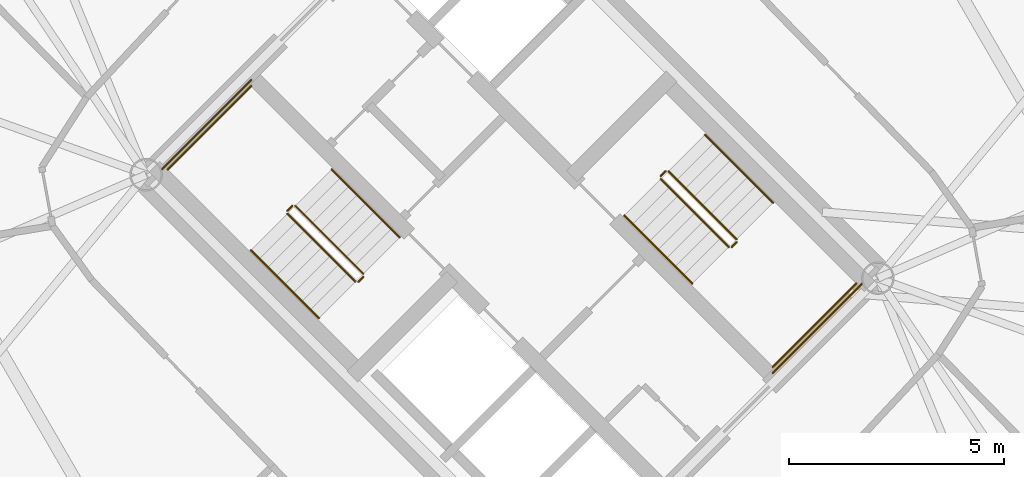
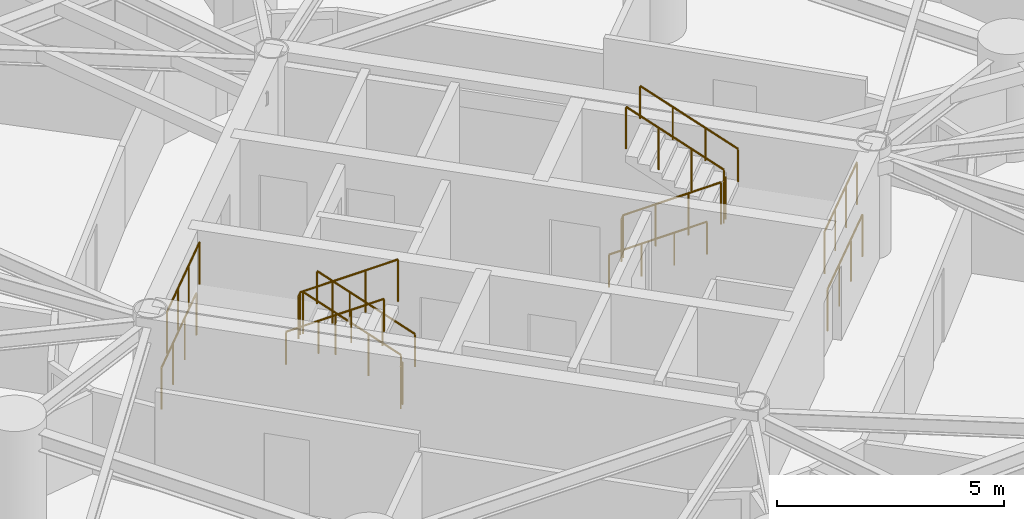
# One storey, part 17 of 17: 16 railings.
"""IFC4 building model written with IfcOpenShell, lengths in metres."""

from ifc_helpers import new_model, si_unit, direction, frame, origin, origin_2d, place, context, subcontext, project, spatial, circle, extrude, material, type_object, element, save


model = new_model("IFC4")

# Units and contexts
model_context = context("Model", 3, precision=1e-05, world=origin(), true_north=direction((0.0, 1.0)))
body_context = subcontext(model_context, "Body", "Model", "MODEL_VIEW")
ifc_project = project(units=[si_unit("LENGTHUNIT", "METRE"), si_unit("AREAUNIT", "SQUARE_METRE"), si_unit("VOLUMEUNIT", "CUBIC_METRE"), si_unit("PLANEANGLEUNIT", "RADIAN"), si_unit("MASSUNIT", "GRAM", prefix="KILO")], contexts=[model_context])

# Site, building, storey
site_placement = place(None, origin())
site = spatial("IfcSite", under=ifc_project, at=site_placement, CompositionType="ELEMENT")
building_placement = place(site_placement, origin())
building = spatial("IfcBuilding", under=site, at=building_placement, Name="Cununo Teusaquillo Station Towers", CompositionType="ELEMENT")
storey_placement = place(building_placement, frame((0.0, 0.0, 81.7900390625)))
storey = spatial("IfcBuildingStorey", under=building, at=storey_placement, Name="L25", CompositionType="ELEMENT", Elevation=81.7900390625)

# Railings
ifc_material_1 = material(Name="Steel EN 10025-2 S355J2", Category="steel")
railing_type_1 = type_object("IfcRailingType", Name="RL-INT-GUARD", PredefinedType="GUARDRAIL", material=ifc_material_1)
railing_1_placement = place(storey_placement, frame((54.03515625, 23.39697265625, 0.16162109375)))
element("IfcRailing", 1, at=railing_1_placement, inside=storey, type_object=railing_type_1, Name="L25 ST-T2-1 stair guard 1", PredefinedType="GUARDRAIL", context=body_context, shape_type="SweptSolid", body=[
    extrude(circle(Radius=0.02392578125, at=origin_2d()), frame((0.0, 0.0, 1.1259765625), z_axis=(-0.612332353853, 0.612332353853, 0.500098167213), x_axis=(-0.707106781187, -0.707106781187, 0.0)), (0.0, 0.0, 1.0), 2.58642578125),
    extrude(circle(Radius=0.02099609375, at=origin_2d()), origin(), (0.0, 0.0, 1.0), 1.101806640625),
    extrude(circle(Radius=0.02099609375, at=origin_2d()), frame((-0.52783203125, 0.52783203125, 0.43115234375)), (0.0, 0.0, 1.0), 1.101806640625),
    extrude(circle(Radius=0.02099609375, at=origin_2d()), frame((-1.055908203125, 1.055908203125, 0.8623046875)), (0.0, 0.0, 1.0), 1.101806640625),
    extrude(circle(Radius=0.02099609375, at=origin_2d()), frame((-1.583740234375, 1.583740234375, 1.29345703125)), (0.0, 0.0, 1.0), 1.101806640625),
])
railing_2_placement = place(storey_placement, frame((52.380615234375, 24.980712890625, 1.455078125)))
element("IfcRailing", 2, at=railing_2_placement, inside=storey, type_object=railing_type_1, Name="L25 ST-T2-1 stair guard 2", PredefinedType="GUARDRAIL", context=body_context, shape_type="SweptSolid", body=[
    extrude(circle(Radius=0.02392578125, at=origin_2d()), frame((0.0, 0.0, 1.1259765625), z_axis=(-0.7078691598, -0.706343579714, 0.0), x_axis=(0.706343579714, -0.7078691598, 0.0)), (0.0, 0.0, 1.0), 0.159912109375),
    extrude(circle(Radius=0.02099609375, at=origin_2d()), origin(), (0.0, 0.0, 1.0), 1.101806640625),
    extrude(circle(Radius=0.02099609375, at=origin_2d()), frame((-0.11328125, -0.113037109375, 0.0)), (0.0, 0.0, 1.0), 1.101806640625),
])
railing_3_placement = place(storey_placement, frame((51.426025390625, 27.77392578125, 1.455078125)))
element("IfcRailing", 3, at=railing_3_placement, inside=storey, type_object=railing_type_1, Name="L25 ST-T2-1 stair guard 3", PredefinedType="GUARDRAIL", context=body_context, shape_type="SweptSolid", body=[
    extrude(circle(Radius=0.02392578125, at=origin_2d()), frame((0.0, 0.0, 1.1259765625), z_axis=(-0.707106781187, -0.707106781187, 0.0), x_axis=(0.707106781187, -0.707106781187, 0.0)), (0.0, 0.0, 1.0), 2.760009765625),
    extrude(circle(Radius=0.02099609375, at=origin_2d()), origin(), (0.0, 0.0, 1.0), 1.101806640625),
    extrude(circle(Radius=0.02099609375, at=origin_2d()), frame((-0.650634765625, -0.650634765625, 0.0)), (0.0, 0.0, 1.0), 1.101806640625),
    extrude(circle(Radius=0.02099609375, at=origin_2d()), frame((-1.301025390625, -1.301025390625, 0.0)), (0.0, 0.0, 1.0), 1.101806640625),
    extrude(circle(Radius=0.02099609375, at=origin_2d()), frame((-1.95166015625, -1.95166015625, 0.0)), (0.0, 0.0, 1.0), 1.101806640625),
])
railing_4_placement = place(storey_placement, frame((52.267333984375, 24.796875, 1.61669921875)))
element("IfcRailing", 4, at=railing_4_placement, inside=storey, type_object=railing_type_1, Name="L25 ST-T2-1 stair guard 4", PredefinedType="GUARDRAIL", context=body_context, shape_type="SweptSolid", body=[
    extrude(circle(Radius=0.02392578125, at=origin_2d()), frame((0.0, 0.0, 1.1259765625), z_axis=(0.612420254088, -0.612325861324, 0.499998471934), x_axis=(0.707052281454, 0.707161276719, 0.0)), (0.0, 0.0, 1.0), 2.58642578125),
    extrude(circle(Radius=0.02099609375, at=origin_2d()), origin(), (0.0, 0.0, 1.0), 1.101806640625),
    extrude(circle(Radius=0.02099609375, at=origin_2d()), frame((0.528076171875, -0.52783203125, 0.43115234375)), (0.0, 0.0, 1.0), 1.101806640625),
    extrude(circle(Radius=0.02099609375, at=origin_2d()), frame((1.055908203125, -1.055908203125, 0.862060546875)), (0.0, 0.0, 1.0), 1.101806640625),
    extrude(circle(Radius=0.02099609375, at=origin_2d()), frame((1.583984375, -1.583740234375, 1.293212890625)), (0.0, 0.0, 1.0), 1.101806640625),
])
railing_5_placement = place(storey_placement, frame((54.03515625, 23.326171875, 0.0)))
element("IfcRailing", 5, at=railing_5_placement, inside=storey, type_object=railing_type_1, Name="L25 ST-T2-1 stair guard 5", PredefinedType="GUARDRAIL", context=body_context, shape_type="SweptSolid", body=[
    extrude(circle(Radius=0.02392578125, at=origin_2d()), frame((0.0, 0.0, 1.1259765625), z_axis=(-0.707106781187, -0.707106781187, 0.0), x_axis=(0.707106781187, -0.707106781187, 0.0)), (0.0, 0.0, 1.0), 0.159912109375),
    extrude(circle(Radius=0.02099609375, at=origin_2d()), origin(), (0.0, 0.0, 1.0), 1.101806640625),
    extrude(circle(Radius=0.02099609375, at=origin_2d()), frame((-0.113037109375, -0.113037109375, 0.0)), (0.0, 0.0, 1.0), 1.101806640625),
])
railing_6_placement = place(storey_placement, frame((51.426025390625, 27.915283203125, 0.0)))
element("IfcRailing", 6, at=railing_6_placement, inside=storey, type_object=railing_type_1, Name="L25 ST-T2-1 stair guard 6", PredefinedType="GUARDRAIL", context=body_context, shape_type="SweptSolid", body=[
    extrude(circle(Radius=0.02392578125, at=origin_2d()), frame((0.0, 0.0, 1.1259765625), z_axis=(-0.707106781187, -0.707106781187, 0.0), x_axis=(0.707106781187, -0.707106781187, 0.0)), (0.0, 0.0, 1.0), 2.9599609375),
    extrude(circle(Radius=0.02099609375, at=origin_2d()), origin(), (0.0, 0.0, 1.0), 1.101806640625),
    extrude(circle(Radius=0.02099609375, at=origin_2d()), frame((-0.69775390625, -0.69775390625, 0.0)), (0.0, 0.0, 1.0), 1.101806640625),
    extrude(circle(Radius=0.02099609375, at=origin_2d()), frame((-1.395263671875, -1.395263671875, 0.0)), (0.0, 0.0, 1.0), 1.101806640625),
    extrude(circle(Radius=0.02099609375, at=origin_2d()), frame((-2.093017578125, -2.093017578125, 0.0)), (0.0, 0.0, 1.0), 1.101806640625),
])
railing_7_placement = place(storey_placement, frame((60.96484375, 25.60302734375, 0.16162109375)))
element("IfcRailing", 7, at=railing_7_placement, inside=storey, type_object=railing_type_1, Name="L25 ST-T2-2 stair guard 1", PredefinedType="GUARDRAIL", context=body_context, shape_type="SweptSolid", body=[
    extrude(circle(Radius=0.02392578125, at=origin_2d()), frame((0.0, 0.0, 1.1259765625), z_axis=(0.612332353853, -0.612332353853, 0.500098167213), x_axis=(0.707106781187, 0.707106781187, 0.0)), (0.0, 0.0, 1.0), 2.58642578125),
    extrude(circle(Radius=0.02099609375, at=origin_2d()), origin(), (0.0, 0.0, 1.0), 1.101806640625),
    extrude(circle(Radius=0.02099609375, at=origin_2d()), frame((0.52783203125, -0.52783203125, 0.43115234375)), (0.0, 0.0, 1.0), 1.101806640625),
    extrude(circle(Radius=0.02099609375, at=origin_2d()), frame((1.055908203125, -1.055908203125, 0.8623046875)), (0.0, 0.0, 1.0), 1.101806640625),
    extrude(circle(Radius=0.02099609375, at=origin_2d()), frame((1.583740234375, -1.583740234375, 1.29345703125)), (0.0, 0.0, 1.0), 1.101806640625),
])
railing_8_placement = place(storey_placement, frame((62.619384765625, 24.019287109375, 1.455078125)))
element("IfcRailing", 8, at=railing_8_placement, inside=storey, type_object=railing_type_1, Name="L25 ST-T2-2 stair guard 2", PredefinedType="GUARDRAIL", context=body_context, shape_type="SweptSolid", body=[
    extrude(circle(Radius=0.02392578125, at=origin_2d()), frame((0.0, 0.0, 1.1259765625), z_axis=(0.7078691598, 0.706343579714, 0.0), x_axis=(-0.706343579714, 0.7078691598, 0.0)), (0.0, 0.0, 1.0), 0.159912109375),
    extrude(circle(Radius=0.02099609375, at=origin_2d()), origin(), (0.0, 0.0, 1.0), 1.101806640625),
    extrude(circle(Radius=0.02099609375, at=origin_2d()), frame((0.11328125, 0.113037109375, 0.0)), (0.0, 0.0, 1.0), 1.101806640625),
])
railing_9_placement = place(storey_placement, frame((63.573974609375, 21.22607421875, 1.455078125)))
element("IfcRailing", 9, at=railing_9_placement, inside=storey, type_object=railing_type_1, Name="L25 ST-T2-2 stair guard 3", PredefinedType="GUARDRAIL", context=body_context, shape_type="SweptSolid", body=[
    extrude(circle(Radius=0.02392578125, at=origin_2d()), frame((0.0, 0.0, 1.1259765625), z_axis=(0.707106781187, 0.707106781187, 0.0), x_axis=(-0.707106781187, 0.707106781187, 0.0)), (0.0, 0.0, 1.0), 2.760009765625),
    extrude(circle(Radius=0.02099609375, at=origin_2d()), origin(), (0.0, 0.0, 1.0), 1.101806640625),
    extrude(circle(Radius=0.02099609375, at=origin_2d()), frame((0.650634765625, 0.650634765625, 0.0)), (0.0, 0.0, 1.0), 1.101806640625),
    extrude(circle(Radius=0.02099609375, at=origin_2d()), frame((1.301025390625, 1.301025390625, 0.0)), (0.0, 0.0, 1.0), 1.101806640625),
    extrude(circle(Radius=0.02099609375, at=origin_2d()), frame((1.95166015625, 1.95166015625, 0.0)), (0.0, 0.0, 1.0), 1.101806640625),
])
railing_10_placement = place(storey_placement, frame((62.732666015625, 24.203125, 1.61669921875)))
element("IfcRailing", 10, at=railing_10_placement, inside=storey, type_object=railing_type_1, Name="L25 ST-T2-2 stair guard 4", PredefinedType="GUARDRAIL", context=body_context, shape_type="SweptSolid", body=[
    extrude(circle(Radius=0.02392578125, at=origin_2d()), frame((0.0, 0.0, 1.1259765625), z_axis=(-0.612420254088, 0.612325861324, 0.499998471934), x_axis=(-0.707052281454, -0.707161276719, 0.0)), (0.0, 0.0, 1.0), 2.58642578125),
    extrude(circle(Radius=0.02099609375, at=origin_2d()), origin(), (0.0, 0.0, 1.0), 1.101806640625),
    extrude(circle(Radius=0.02099609375, at=origin_2d()), frame((-0.528076171875, 0.52783203125, 0.43115234375)), (0.0, 0.0, 1.0), 1.101806640625),
    extrude(circle(Radius=0.02099609375, at=origin_2d()), frame((-1.055908203125, 1.055908203125, 0.862060546875)), (0.0, 0.0, 1.0), 1.101806640625),
    extrude(circle(Radius=0.02099609375, at=origin_2d()), frame((-1.583984375, 1.583740234375, 1.293212890625)), (0.0, 0.0, 1.0), 1.101806640625),
])
railing_11_placement = place(storey_placement, frame((60.96484375, 25.673828125, 0.0)))
element("IfcRailing", 11, at=railing_11_placement, inside=storey, type_object=railing_type_1, Name="L25 ST-T2-2 stair guard 5", PredefinedType="GUARDRAIL", context=body_context, shape_type="SweptSolid", body=[
    extrude(circle(Radius=0.02392578125, at=origin_2d()), frame((0.0, 0.0, 1.1259765625), z_axis=(0.707106781187, 0.707106781187, 0.0), x_axis=(-0.707106781187, 0.707106781187, 0.0)), (0.0, 0.0, 1.0), 0.159912109375),
    extrude(circle(Radius=0.02099609375, at=origin_2d()), origin(), (0.0, 0.0, 1.0), 1.101806640625),
    extrude(circle(Radius=0.02099609375, at=origin_2d()), frame((0.113037109375, 0.113037109375, 0.0)), (0.0, 0.0, 1.0), 1.101806640625),
])
railing_12_placement = place(storey_placement, frame((63.573974609375, 21.084716796875, 0.0)))
element("IfcRailing", 12, at=railing_12_placement, inside=storey, type_object=railing_type_1, Name="L25 ST-T2-2 stair guard 6", PredefinedType="GUARDRAIL", context=body_context, shape_type="SweptSolid", body=[
    extrude(circle(Radius=0.02392578125, at=origin_2d()), frame((0.0, 0.0, 1.1259765625), z_axis=(0.707106781187, 0.707106781187, 0.0), x_axis=(-0.707106781187, 0.707106781187, 0.0)), (0.0, 0.0, 1.0), 2.9599609375),
    extrude(circle(Radius=0.02099609375, at=origin_2d()), origin(), (0.0, 0.0, 1.0), 1.101806640625),
    extrude(circle(Radius=0.02099609375, at=origin_2d()), frame((0.69775390625, 0.69775390625, 0.0)), (0.0, 0.0, 1.0), 1.101806640625),
    extrude(circle(Radius=0.02099609375, at=origin_2d()), frame((1.395263671875, 1.395263671875, 0.0)), (0.0, 0.0, 1.0), 1.101806640625),
    extrude(circle(Radius=0.02099609375, at=origin_2d()), frame((2.093017578125, 2.093017578125, 0.0)), (0.0, 0.0, 1.0), 1.101806640625),
])
ifc_material_2 = material(Name="Steel EN 10025-2 S355J2", Category="steel")
railing_type_2 = type_object("IfcRailingType", Name="RL-INT-HRAIL", PredefinedType="HANDRAIL", material=ifc_material_2)
railing_13_placement = place(storey_placement, frame((54.8837890625, 24.245361328125, 0.16162109375)))
element("IfcRailing", 13, at=railing_13_placement, inside=storey, type_object=railing_type_2, Name="L25 ST-T2-1 stair handrail 1", PredefinedType="HANDRAIL", context=body_context, shape_type="SweptSolid", body=[
    extrude(circle(Radius=0.02392578125, at=origin_2d()), frame((0.0, 0.0, 0.8759765625), z_axis=(-0.612355957468, 0.612355957468, 0.500040361077), x_axis=(-0.707106781187, -0.707106781187, 0.0)), (0.0, 0.0, 1.0), 2.586669921875),
    extrude(circle(Radius=0.02099609375, at=origin_2d()), origin(), (0.0, 0.0, 1.0), 0.851806640625),
    extrude(circle(Radius=0.02099609375, at=origin_2d()), frame((-0.528076171875, 0.528076171875, 0.43115234375)), (0.0, 0.0, 1.0), 0.851806640625),
    extrude(circle(Radius=0.02099609375, at=origin_2d()), frame((-1.055908203125, 1.055908203125, 0.8623046875)), (0.0, 0.0, 1.0), 0.851806640625),
    extrude(circle(Radius=0.02099609375, at=origin_2d()), frame((-1.583984375, 1.583984375, 1.29345703125)), (0.0, 0.0, 1.0), 0.851806640625),
])
railing_14_placement = place(storey_placement, frame((51.4189453125, 23.948486328125, 1.61669921875)))
element("IfcRailing", 14, at=railing_14_placement, inside=storey, type_object=railing_type_2, Name="L25 ST-T2-1 stair handrail 2", PredefinedType="HANDRAIL", context=body_context, shape_type="SweptSolid", body=[
    extrude(circle(Radius=0.02392578125, at=origin_2d()), frame((0.0, 0.0, 0.8759765625), z_axis=(0.612384857071, -0.612384857071, 0.499969572735), x_axis=(0.707106781187, 0.707106781187, 0.0)), (0.0, 0.0, 1.0), 2.586669921875),
    extrude(circle(Radius=0.02099609375, at=origin_2d()), origin(), (0.0, 0.0, 1.0), 0.851806640625),
    extrude(circle(Radius=0.02099609375, at=origin_2d()), frame((0.528076171875, -0.528076171875, 0.43115234375)), (0.0, 0.0, 1.0), 0.851806640625),
    extrude(circle(Radius=0.02099609375, at=origin_2d()), frame((1.055908203125, -1.055908203125, 0.862060546875)), (0.0, 0.0, 1.0), 0.851806640625),
    extrude(circle(Radius=0.02099609375, at=origin_2d()), frame((1.583984375, -1.583984375, 1.293212890625)), (0.0, 0.0, 1.0), 0.851806640625),
])
railing_15_placement = place(storey_placement, frame((60.1162109375, 24.754638671875, 0.16162109375)))
element("IfcRailing", 15, at=railing_15_placement, inside=storey, type_object=railing_type_2, Name="L25 ST-T2-2 stair handrail 1", PredefinedType="HANDRAIL", context=body_context, shape_type="SweptSolid", body=[
    extrude(circle(Radius=0.02392578125, at=origin_2d()), frame((0.0, 0.0, 0.8759765625), z_axis=(0.612355957468, -0.612355957468, 0.500040361077), x_axis=(0.707106781187, 0.707106781187, 0.0)), (0.0, 0.0, 1.0), 2.586669921875),
    extrude(circle(Radius=0.02099609375, at=origin_2d()), origin(), (0.0, 0.0, 1.0), 0.851806640625),
    extrude(circle(Radius=0.02099609375, at=origin_2d()), frame((0.528076171875, -0.528076171875, 0.43115234375)), (0.0, 0.0, 1.0), 0.851806640625),
    extrude(circle(Radius=0.02099609375, at=origin_2d()), frame((1.055908203125, -1.055908203125, 0.8623046875)), (0.0, 0.0, 1.0), 0.851806640625),
    extrude(circle(Radius=0.02099609375, at=origin_2d()), frame((1.583984375, -1.583984375, 1.29345703125)), (0.0, 0.0, 1.0), 0.851806640625),
])
railing_16_placement = place(storey_placement, frame((63.5810546875, 25.051513671875, 1.61669921875)))
element("IfcRailing", 16, at=railing_16_placement, inside=storey, type_object=railing_type_2, Name="L25 ST-T2-2 stair handrail 2", PredefinedType="HANDRAIL", context=body_context, shape_type="SweptSolid", body=[
    extrude(circle(Radius=0.02392578125, at=origin_2d()), frame((0.0, 0.0, 0.8759765625), z_axis=(-0.612384857071, 0.612384857071, 0.499969572735), x_axis=(-0.707106781187, -0.707106781187, 0.0)), (0.0, 0.0, 1.0), 2.586669921875),
    extrude(circle(Radius=0.02099609375, at=origin_2d()), origin(), (0.0, 0.0, 1.0), 0.851806640625),
    extrude(circle(Radius=0.02099609375, at=origin_2d()), frame((-0.528076171875, 0.528076171875, 0.43115234375)), (0.0, 0.0, 1.0), 0.851806640625),
    extrude(circle(Radius=0.02099609375, at=origin_2d()), frame((-1.055908203125, 1.055908203125, 0.862060546875)), (0.0, 0.0, 1.0), 0.851806640625),
    extrude(circle(Radius=0.02099609375, at=origin_2d()), frame((-1.583984375, 1.583984375, 1.293212890625)), (0.0, 0.0, 1.0), 0.851806640625),
])

save(model, "model.ifc")
